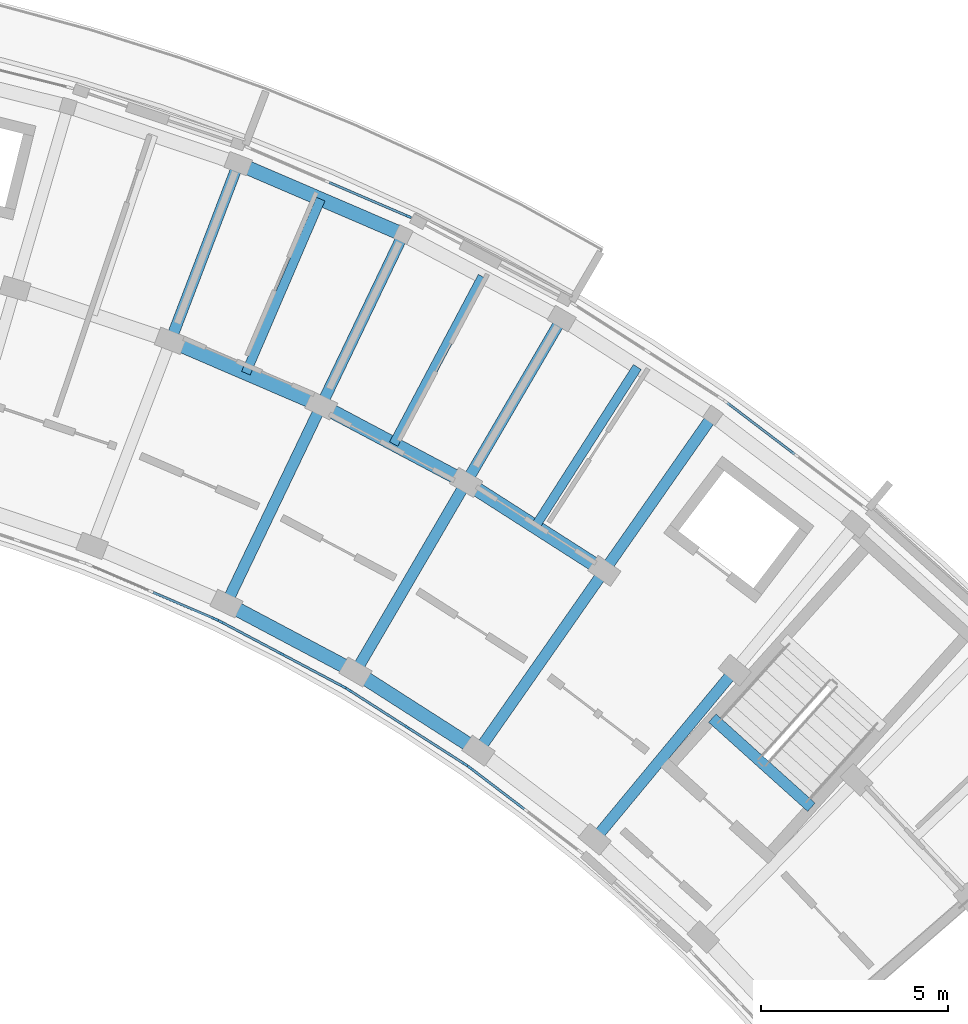
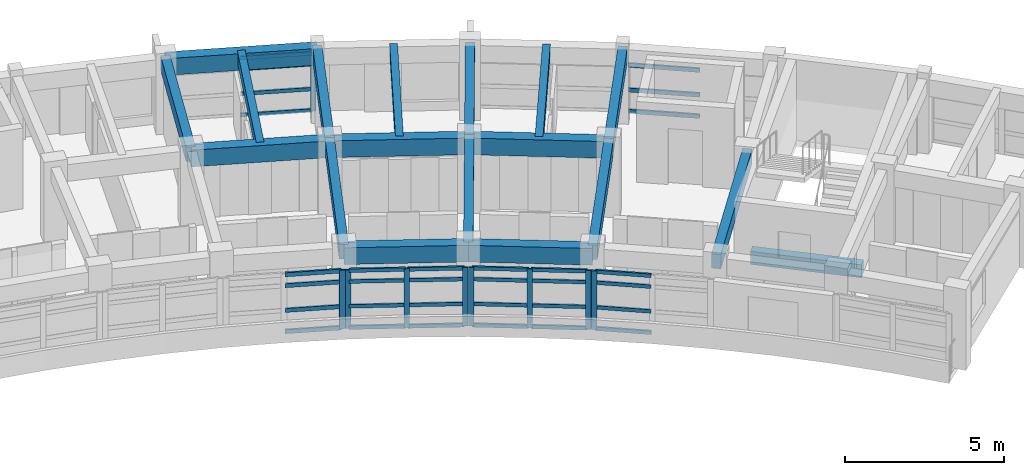
# One storey, part 17 of 40: 40 members, 18 beams, 6 elements without a shape of their own.
"""IFC4 building model written with IfcOpenShell, lengths in metres."""

from ifc_helpers import new_model, si_unit, direction, frame, origin, origin_2d, place, context, subcontext, project, spatial, rectangle, extrude, material, material_profile, profile_set, type_object, element, aggregate, save


model = new_model("IFC4")

# Units and contexts
model_context = context("Model", 3, precision=1e-05, world=origin(), true_north=direction((0.0, 1.0)))
body_context = subcontext(model_context, "Body", "Model", "MODEL_VIEW")
ifc_project = project(units=[si_unit("LENGTHUNIT", "METRE"), si_unit("AREAUNIT", "SQUARE_METRE"), si_unit("VOLUMEUNIT", "CUBIC_METRE"), si_unit("PLANEANGLEUNIT", "RADIAN"), si_unit("MASSUNIT", "GRAM", prefix="KILO")], contexts=[model_context])

# Site, building, storey
site_placement = place(None, origin())
site = spatial("IfcSite", under=ifc_project, at=site_placement, CompositionType="ELEMENT")
building_placement = place(site_placement, origin())
building = spatial("IfcBuilding", under=site, at=building_placement, Name="Zimvara Arc Housing Community", CompositionType="ELEMENT")
storey_placement = place(building_placement, frame((0.0, 0.0, 32.89990234375)))
storey = spatial("IfcBuildingStorey", under=building, at=storey_placement, Name="L10", CompositionType="ELEMENT", Elevation=32.89990234375)

# Beams
ifc_material_1 = material(Name="Concrete C40/50", Category="concrete")
ifc_material_profile_1 = material_profile(ifc_material_1, rectangle(XDim=0.25, YDim=0.449951171875, at=origin_2d()), Name="RC 250x450")
ifc_profile_set_1 = profile_set([ifc_material_profile_1], Name="Concrete C40/50")
beam_type_1 = type_object("IfcBeamType", Name="BM-RC-250x450", PredefinedType="JOIST", material=ifc_profile_set_1)
beam_1_placement = place(storey_placement, frame((66.22802734375, 93.885986328125, 2.635009765625), z_axis=(0.394929109608, 0.918711596958, 0.0), x_axis=(-0.918711596958, 0.394929109608, 0.0)))
element("IfcBeam", 1, at=beam_1_placement, inside=storey, type_object=beam_type_1, Name="bm:blkB:L10:joist:b4", PredefinedType="JOIST", context=body_context, shape_type="SweptSolid", body=[
    extrude(rectangle(XDim=0.25, YDim=0.449951171875, at=origin_2d()), origin(), (0.0, 0.0, 1.0), 5.075927734375),
])
for number, where, z_axis, x_axis, name in (
    (2, (70.186767578125, 91.9892578125, 2.635009765625), (0.46853732736, 0.883443701019, 0.0), (-0.883443701019, 0.46853732736, 0.0), "bm:blkB:L10:joist:b5"),
    (3, (73.9775390625, 89.776123046875, 2.635009765625), (0.539052331508, 0.842272274206, 0.0), (-0.842272274206, 0.539052331508, 0.0), "bm:blkB:L10:joist:b6"),
):
    element("IfcBeam", number, at=place(storey_placement, frame(where, z_axis=z_axis, x_axis=x_axis)), inside=storey, type_object=beam_type_1, Name=name, PredefinedType="JOIST", context=body_context, shape_type="SweptSolid", body=[
        extrude(rectangle(XDim=0.25, YDim=0.449951171875, at=origin_2d()), origin(), (0.0, 0.0, 1.0), 5.07568359375),
    ])
ifc_material_2 = material(Name="Concrete C40/50", Category="concrete")
ifc_material_profile_2 = material_profile(ifc_material_2, rectangle(XDim=0.300048828125, YDim=0.5, at=origin_2d()), Name="RC 300x500")
ifc_profile_set_2 = profile_set([ifc_material_profile_2], Name="Concrete C40/50")
beam_type_2 = type_object("IfcBeamType", Name="BM-RC-300x500", PredefinedType="BEAM", material=ifc_profile_set_2)
beam_2_placement = place(storey_placement, frame((81.375732421875, 82.259033203125, -0.25), z_axis=(-0.743362151162, 0.668889162881, 0.0), x_axis=(-0.668889162881, -0.743362151162, 0.0)))
element("IfcBeam", 4, at=beam_2_placement, inside=storey, type_object=beam_type_2, Name="bm:stair_trim:ST-B2:L10:near", PredefinedType="BEAM", context=body_context, shape_type="SweptSolid", body=[
    extrude(rectangle(XDim=0.300048828125, YDim=0.5, at=origin_2d()), origin(), (0.0, 0.0, 1.0), 3.570068359375),
])
ifc_material_3 = material(Name="Concrete C40/50", Category="concrete")
ifc_material_profile_3 = material_profile(ifc_material_3, rectangle(XDim=0.300048828125, YDim=0.550048828125, at=origin_2d()), Name="RC 300x550")
ifc_profile_set_3 = profile_set([ifc_material_profile_3], Name="Concrete C40/50")
beam_type_3 = type_object("IfcBeamType", Name="BM-RC-300x550", PredefinedType="BEAM", material=ifc_profile_set_3)
beam_3_placement = place(storey_placement, frame((64.2099609375, 94.75341796875, 2.585205078125), z_axis=(0.357078271386, 0.934074466038, 0.0), x_axis=(-0.934074466038, 0.357078271386, 0.0)))
element("IfcBeam", 5, at=beam_3_placement, inside=storey, type_object=beam_type_3, Name="bm:blkB:L10:rad:b4:r23", PredefinedType="BEAM", context=body_context, shape_type="SweptSolid", body=[
    extrude(rectangle(XDim=0.300048828125, YDim=0.550048828125, at=origin_2d()), origin(), (0.0, 0.0, 1.0), 5.080078125),
])
beam_4_placement = place(storey_placement, frame((65.70556640625, 87.7158203125, 2.585205078125), z_axis=(0.432069527705, 0.901840298073, 0.0), x_axis=(-0.901840298073, 0.432069527705, 0.0)))
element("IfcBeam", 6, at=beam_4_placement, inside=storey, type_object=beam_type_3, Name="bm:blkB:L10:rad:b5:r12", PredefinedType="BEAM", context=body_context, shape_type="SweptSolid", body=[
    extrude(rectangle(XDim=0.300048828125, YDim=0.550048828125, at=origin_2d()), origin(), (0.0, 0.0, 1.0), 5.8798828125),
])
beam_5_placement = place(storey_placement, frame((68.24609375, 93.0185546875, 2.585205078125), z_axis=(0.432098194978, 0.901826563091, 0.0), x_axis=(-0.901826563091, 0.432098194978, 0.0)))
element("IfcBeam", 7, at=beam_5_placement, inside=storey, type_object=beam_type_3, Name="bm:blkB:L10:rad:b5:r23", PredefinedType="BEAM", context=body_context, shape_type="SweptSolid", body=[
    extrude(rectangle(XDim=0.300048828125, YDim=0.550048828125, at=origin_2d()), origin(), (0.0, 0.0, 1.0), 5.080078125),
])
beam_6_placement = place(storey_placement, frame((69.16259765625, 85.88232421875, 2.585205078125), z_axis=(0.504219494781, 0.863575532934, 0.0), x_axis=(-0.863575532934, 0.504219494781, 0.0)))
element("IfcBeam", 8, at=beam_6_placement, inside=storey, type_object=beam_type_3, Name="bm:blkB:L10:rad:b6:r12", PredefinedType="BEAM", context=body_context, shape_type="SweptSolid", body=[
    extrude(rectangle(XDim=0.300048828125, YDim=0.550048828125, at=origin_2d()), origin(), (0.0, 0.0, 1.0), 5.880126953125),
])
beam_7_placement = place(storey_placement, frame((72.12744140625, 90.960205078125, 2.585205078125), z_axis=(0.504196701544, 0.863588840915, 0.0), x_axis=(-0.863588840915, 0.504196701544, 0.0)))
element("IfcBeam", 9, at=beam_7_placement, inside=storey, type_object=beam_type_3, Name="bm:blkB:L10:rad:b6:r23", PredefinedType="BEAM", context=body_context, shape_type="SweptSolid", body=[
    extrude(rectangle(XDim=0.300048828125, YDim=0.550048828125, at=origin_2d()), origin(), (0.0, 0.0, 1.0), 5.079833984375),
])
beam_8_placement = place(storey_placement, frame((72.458251953125, 83.77294921875, 2.585205078125), z_axis=(0.573027549978, 0.819536104736, 0.0), x_axis=(-0.819536104736, 0.573027549978, 0.0)))
element("IfcBeam", 10, at=beam_8_placement, inside=storey, type_object=beam_type_3, Name="bm:blkB:L10:rad:b7:r12", PredefinedType="BEAM", context=body_context, shape_type="SweptSolid", body=[
    extrude(rectangle(XDim=0.300048828125, YDim=0.550048828125, at=origin_2d()), origin(), (0.0, 0.0, 1.0), 5.8798828125),
])
beam_9_placement = place(storey_placement, frame((75.82763671875, 88.591796875, 2.585205078125), z_axis=(0.573007469479, 0.819550144848, 0.0), x_axis=(-0.819550144848, 0.573007469479, 0.0)))
element("IfcBeam", 11, at=beam_9_placement, inside=storey, type_object=beam_type_3, Name="bm:blkB:L10:rad:b7:r23", PredefinedType="BEAM", context=body_context, shape_type="SweptSolid", body=[
    extrude(rectangle(XDim=0.300048828125, YDim=0.550048828125, at=origin_2d()), origin(), (0.0, 0.0, 1.0), 5.080078125),
])
beam_10_placement = place(storey_placement, frame((75.571044921875, 81.401611328125, 2.585205078125), z_axis=(0.637955964415, 0.770072845559, 0.0), x_axis=(-0.770072845559, 0.637955964415, 0.0)))
element("IfcBeam", 12, at=beam_10_placement, inside=storey, type_object=beam_type_3, Name="bm:blkB:L10:rad:b8:r12", PredefinedType="BEAM", context=body_context, shape_type="SweptSolid", body=[
    extrude(rectangle(XDim=0.300048828125, YDim=0.550048828125, at=origin_2d()), origin(), (0.0, 0.0, 1.0), 5.880126953125),
])
ifc_material_4 = material(Name="Concrete C40/50", Category="concrete")
ifc_material_profile_4 = material_profile(ifc_material_4, rectangle(XDim=0.3798828125, YDim=0.639892578125, at=origin_2d()), Name="RC 380x640")
ifc_profile_set_4 = profile_set([ifc_material_profile_4], Name="Concrete C40/50")
beam_type_4 = type_object("IfcBeamType", Name="BM-RC-380x640", PredefinedType="BEAM", material=ifc_profile_set_4)
beam_11_placement = place(storey_placement, frame((65.70556640625, 87.7158203125, 2.5400390625), z_axis=(0.883438625159, -0.468546897948, 0.0), x_axis=(0.468546897948, 0.883438625159, 0.0)))
element("IfcBeam", 13, at=beam_11_placement, inside=storey, type_object=beam_type_4, Name="bm:blkB:L10:chord:r1:b5", PredefinedType="BEAM", context=body_context, shape_type="SweptSolid", body=[
    extrude(rectangle(XDim=0.3798828125, YDim=0.639892578125, at=origin_2d()), origin(), (0.0, 0.0, 1.0), 3.9130859375),
])
beam_12_placement = place(storey_placement, frame((69.16259765625, 85.88232421875, 2.5400390625), z_axis=(0.842253269878, -0.539082024724, 0.0), x_axis=(0.539082024724, 0.842253269878, 0.0)))
element("IfcBeam", 14, at=beam_12_placement, inside=storey, type_object=beam_type_4, Name="bm:blkB:L10:chord:r1:b6", PredefinedType="BEAM", context=body_context, shape_type="SweptSolid", body=[
    extrude(rectangle(XDim=0.3798828125, YDim=0.639892578125, at=origin_2d()), origin(), (0.0, 0.0, 1.0), 3.912841796875),
])
for number, where, z_axis, x_axis, name in (
    (15, (64.2099609375, 94.75341796875, 2.5400390625), (0.918724840088, -0.394898301093, 0.0), (0.394898301093, 0.918724840088, 0.0), "bm:blkB:L10:chord:r2:b4"),
    (16, (68.24609375, 93.0185546875, 2.5400390625), (0.883456526058, -0.468513144496, 0.0), (0.468513144496, 0.883456526058, 0.0), "bm:blkB:L10:chord:r2:b5"),
    (17, (72.12744140625, 90.960205078125, 2.5400390625), (0.842242131326, -0.539099427025, 0.0), (0.539099427025, 0.842242131326, 0.0), "bm:blkB:L10:chord:r2:b6"),
):
    element("IfcBeam", number, at=place(storey_placement, frame(where, z_axis=z_axis, x_axis=x_axis)), inside=storey, type_object=beam_type_4, Name=name, PredefinedType="BEAM", context=body_context, shape_type="SweptSolid", body=[
        extrude(rectangle(XDim=0.3798828125, YDim=0.639892578125, at=origin_2d()), origin(), (0.0, 0.0, 1.0), 4.393310546875),
    ])
beam_13_placement = place(storey_placement, frame((66.02392578125, 99.49853515625, 2.5400390625), z_axis=(0.918724276228, -0.394899612901, 0.0), x_axis=(0.394899612901, 0.918724276228, 0.0)))
element("IfcBeam", 18, at=beam_13_placement, inside=storey, type_object=beam_type_4, Name="bm:blkB:L10:chord:r3:b4", PredefinedType="BEAM", context=body_context, shape_type="SweptSolid", body=[
    extrude(rectangle(XDim=0.3798828125, YDim=0.639892578125, at=origin_2d()), origin(), (0.0, 0.0, 1.0), 4.80810546875),
])

# Curtain wall, member
ifc_material_5 = material(Name="Anodised Aluminium AW-6063", Category="aluminium")
curtain_wall_type_1 = type_object("IfcCurtainWallType", Name="CW-SYS-04", PredefinedType="USERDEFINED", material=ifc_material_5)
curtain_wall_1_placement = place(storey_placement, origin())
curtain_wall_1 = element("IfcCurtainWall", 19, at=curtain_wall_1_placement, inside=storey, type_object=curtain_wall_type_1, Name="cw:blkB:L10:out:b4", ObjectType="CURTAIN WALL", PredefinedType="USERDEFINED")
ifc_material_6 = material(Name="Anodised Aluminium AW-6063", Category="aluminium")
ifc_material_profile_5 = material_profile(ifc_material_6, rectangle(XDim=0.06494140625, YDim=0.179931640625, at=origin_2d()), Name="ALU 65x180")
ifc_profile_set_5 = profile_set([ifc_material_profile_5], Name="Anodised Aluminium AW-6063")
member_type_1 = type_object("IfcMemberType", Name="CWM-65x150", PredefinedType="MULLION", material=ifc_profile_set_5)
member_1_placement = place(storey_placement, frame((70.572265625, 98.08740234375, 0.0), z_axis=(0.0, 0.0, 1.0), x_axis=(0.394904211998, 0.918722299363, 0.0)))
member_1 = element("IfcMember", 20, at=member_1_placement, type_object=member_type_1, Name="CW04 mullion 3", PredefinedType="MULLION", context=body_context, shape_type="SweptSolid", body=[
    extrude(rectangle(XDim=0.06494140625, YDim=0.179931640625, at=origin_2d()), origin(), (0.0, 0.0, 1.0), 2.25),
])

# Curtain wall, members
ifc_material_7 = material(Name="Anodised Aluminium AW-6063", Category="aluminium")
curtain_wall_type_2 = type_object("IfcCurtainWallType", Name="CW-SYS-06", PredefinedType="USERDEFINED", material=ifc_material_7)
curtain_wall_2_placement = place(storey_placement, origin())
curtain_wall_2 = element("IfcCurtainWall", 21, at=curtain_wall_2_placement, inside=storey, type_object=curtain_wall_type_2, Name="cw:blkB:L10:in:b5", ObjectType="CURTAIN WALL", PredefinedType="USERDEFINED")
member_2_placement = place(storey_placement, frame((65.5712890625, 87.2216796875, 0.0), z_axis=(0.0, 0.0, 1.0), x_axis=(0.468547099195, 0.883438518424, 0.0)))
member_2 = element("IfcMember", 22, at=member_2_placement, type_object=member_type_1, Name="CW06 mullion 1", PredefinedType="MULLION", context=body_context, shape_type="SweptSolid", body=[
    extrude(rectangle(XDim=0.06494140625, YDim=0.179931640625, at=origin_2d()), origin(), (0.0, 0.0, 1.0), 2.25),
])
member_3_placement = place(storey_placement, frame((67.199951171875, 86.357666015625, 0.0), z_axis=(0.0, 0.0, 1.0), x_axis=(0.468547099195, 0.883438518424, 0.0)))
member_3 = element("IfcMember", 23, at=member_3_placement, type_object=member_type_1, Name="CW06 mullion 2", PredefinedType="MULLION", context=body_context, shape_type="SweptSolid", body=[
    extrude(rectangle(XDim=0.06494140625, YDim=0.179931640625, at=origin_2d()), origin(), (0.0, 0.0, 1.0), 2.25),
])
member_4_placement = place(storey_placement, frame((68.82861328125, 85.493896484375, 0.0), z_axis=(0.0, 0.0, 1.0), x_axis=(0.468547099195, 0.883438518424, 0.0)))
member_4 = element("IfcMember", 24, at=member_4_placement, type_object=member_type_1, Name="CW06 mullion 3", PredefinedType="MULLION", context=body_context, shape_type="SweptSolid", body=[
    extrude(rectangle(XDim=0.06494140625, YDim=0.179931640625, at=origin_2d()), origin(), (0.0, 0.0, 1.0), 2.25),
])

ifc_material_8 = material(Name="Anodised Aluminium AW-6063", Category="aluminium")
curtain_wall_type_3 = type_object("IfcCurtainWallType", Name="CW-SYS-08", PredefinedType="USERDEFINED", material=ifc_material_8)
curtain_wall_3_placement = place(storey_placement, origin())
curtain_wall_3 = element("IfcCurtainWall", 25, at=curtain_wall_3_placement, inside=storey, type_object=curtain_wall_type_3, Name="cw:blkB:L10:in:b6", ObjectType="CURTAIN WALL", PredefinedType="USERDEFINED")
member_5_placement = place(storey_placement, frame((68.98828125, 85.400634765625, 0.0), z_axis=(0.0, 0.0, 1.0), x_axis=(0.539065115913, 0.842264092079, 0.0)))
member_5 = element("IfcMember", 26, at=member_5_placement, type_object=member_type_1, Name="CW08 mullion 1", PredefinedType="MULLION", context=body_context, shape_type="SweptSolid", body=[
    extrude(rectangle(XDim=0.06494140625, YDim=0.179931640625, at=origin_2d()), origin(), (0.0, 0.0, 1.0), 2.25),
])
member_6_placement = place(storey_placement, frame((70.541015625, 84.406982421875, 0.0), z_axis=(0.0, 0.0, 1.0), x_axis=(0.539065115913, 0.842264092079, 0.0)))
member_6 = element("IfcMember", 27, at=member_6_placement, type_object=member_type_1, Name="CW08 mullion 2", PredefinedType="MULLION", context=body_context, shape_type="SweptSolid", body=[
    extrude(rectangle(XDim=0.06494140625, YDim=0.179931640625, at=origin_2d()), origin(), (0.0, 0.0, 1.0), 2.25),
])
member_7_placement = place(storey_placement, frame((72.093994140625, 83.4130859375, 0.0), z_axis=(0.0, 0.0, 1.0), x_axis=(0.539065115913, 0.842264092079, 0.0)))
member_7 = element("IfcMember", 28, at=member_7_placement, type_object=member_type_1, Name="CW08 mullion 3", PredefinedType="MULLION", context=body_context, shape_type="SweptSolid", body=[
    extrude(rectangle(XDim=0.06494140625, YDim=0.179931640625, at=origin_2d()), origin(), (0.0, 0.0, 1.0), 2.25),
])

# Curtain wall, member
ifc_material_9 = material(Name="Anodised Aluminium AW-6063", Category="aluminium")
curtain_wall_type_4 = type_object("IfcCurtainWallType", Name="CW-SYS-02", PredefinedType="USERDEFINED", material=ifc_material_9)
curtain_wall_4_placement = place(storey_placement, origin())
curtain_wall_4 = element("IfcCurtainWall", 29, at=curtain_wall_4_placement, inside=storey, type_object=curtain_wall_type_4, Name="cw:blkB:L10:in:b7", ObjectType="CURTAIN WALL", PredefinedType="USERDEFINED")
member_8_placement = place(storey_placement, frame((72.245361328125, 83.30712890625, 0.0), z_axis=(0.0, 0.0, 1.0), x_axis=(0.605987809503, 0.795473930895, 0.0)))
member_8 = element("IfcMember", 30, at=member_8_placement, type_object=member_type_1, Name="CW02 mullion 1", PredefinedType="MULLION", context=body_context, shape_type="SweptSolid", body=[
    extrude(rectangle(XDim=0.06494140625, YDim=0.179931640625, at=origin_2d()), origin(), (0.0, 0.0, 1.0), 2.25),
])

ifc_material_10 = material(Name="Anodised Aluminium AW-6063", Category="aluminium")
curtain_wall_type_5 = type_object("IfcCurtainWallType", Name="CW-SYS-05", PredefinedType="USERDEFINED", material=ifc_material_10)
curtain_wall_5_placement = place(storey_placement, origin())
curtain_wall_5 = element("IfcCurtainWall", 31, at=curtain_wall_5_placement, inside=storey, type_object=curtain_wall_type_5, Name="cw:blkB:L10:in:b4", ObjectType="CURTAIN WALL", PredefinedType="USERDEFINED")
ifc_material_11 = material(Name="Anodised Aluminium AW-6063", Category="aluminium")
ifc_material_profile_6 = material_profile(ifc_material_11, rectangle(XDim=0.06494140625, YDim=0.195068359375, at=origin_2d()), Name="ALU 65x195")
ifc_profile_set_6 = profile_set([ifc_material_profile_6], Name="Anodised Aluminium AW-6063")
member_type_2 = type_object("IfcMemberType", Name="CWM-65x180", PredefinedType="MULLION", material=ifc_profile_set_6)
member_9_placement = place(storey_placement, frame((65.404541015625, 87.301513671875, 0.0), z_axis=(0.0, 0.0, 1.0), x_axis=(0.394903951674, 0.918722411261, 0.0)))
member_9 = element("IfcMember", 32, at=member_9_placement, type_object=member_type_2, Name="CW05 mullion 3", PredefinedType="MULLION", context=body_context, shape_type="SweptSolid", body=[
    extrude(rectangle(XDim=0.06494140625, YDim=0.195068359375, at=origin_2d()), origin(), (0.0, 0.0, 1.0), 2.25),
])

# Member
ifc_material_12 = material(Name="Anodised Aluminium AW-6063", Category="aluminium")
ifc_material_profile_7 = material_profile(ifc_material_12, rectangle(XDim=0.06494140625, YDim=0.139892578125, at=origin_2d()), Name="ALU 65x140")
ifc_profile_set_7 = profile_set([ifc_material_profile_7], Name="Anodised Aluminium AW-6063")
member_type_3 = type_object("IfcMemberType", Name="CWT-65x120", PredefinedType="USERDEFINED", material=ifc_profile_set_7)
member_10_placement = place(storey_placement, frame((68.459716796875, 98.995361328125, 0.03271484375), z_axis=(0.918721157939, -0.394906867444, 0.0), x_axis=(0.394906867444, 0.918721157939, 0.0)))
member_10 = element("IfcMember", 33, at=member_10_placement, type_object=member_type_3, Name="CW04 transom 2.1", ObjectType="TRANSOM", PredefinedType="USERDEFINED", context=body_context, shape_type="SweptSolid", body=[
    extrude(rectangle(XDim=0.06494140625, YDim=0.139892578125, at=origin_2d()), origin(), (0.0, 0.0, 1.0), 2.26708984375),
])

member_11_placement = place(storey_placement, frame((68.459716796875, 98.995361328125, 0.85009765625), z_axis=(0.918721157939, -0.394906867444, 0.0), x_axis=(0.394906867444, 0.918721157939, 0.0)))
member_11 = element("IfcMember", 34, at=member_11_placement, type_object=member_type_3, Name="CW04 transom 2.2", ObjectType="TRANSOM", PredefinedType="USERDEFINED", context=body_context, shape_type="SweptSolid", body=[
    extrude(rectangle(XDim=0.06494140625, YDim=0.139892578125, at=origin_2d()), origin(), (0.0, 0.0, 1.0), 2.26708984375),
])

member_12_placement = place(storey_placement, frame((68.459716796875, 98.995361328125, 1.800048828125), z_axis=(0.918721157939, -0.394906867444, 0.0), x_axis=(0.394906867444, 0.918721157939, 0.0)))
member_12 = element("IfcMember", 35, at=member_12_placement, type_object=member_type_3, Name="CW04 transom 2.3", ObjectType="TRANSOM", PredefinedType="USERDEFINED", context=body_context, shape_type="SweptSolid", body=[
    extrude(rectangle(XDim=0.06494140625, YDim=0.139892578125, at=origin_2d()), origin(), (0.0, 0.0, 1.0), 2.26708984375),
])

member_13_placement = place(storey_placement, frame((68.459716796875, 98.995361328125, 2.217529296875), z_axis=(0.918721157939, -0.394906867444, 0.0), x_axis=(0.394906867444, 0.918721157939, 0.0)))
member_13 = element("IfcMember", 36, at=member_13_placement, type_object=member_type_3, Name="CW04 transom 2.4", ObjectType="TRANSOM", PredefinedType="USERDEFINED", context=body_context, shape_type="SweptSolid", body=[
    extrude(rectangle(XDim=0.06494140625, YDim=0.139892578125, at=origin_2d()), origin(), (0.0, 0.0, 1.0), 2.26708984375),
])

aggregate(curtain_wall_1, [member_1, member_10, member_11, member_12, member_13])

member_14_placement = place(storey_placement, frame((65.599853515625, 87.206298828125, 0.03271484375), z_axis=(0.883463823767, -0.468499383238, 0.0), x_axis=(0.468499383238, 0.883463823767, 0.0)))
member_14 = element("IfcMember", 37, at=member_14_placement, type_object=member_type_3, Name="CW06 transom 1.1", ObjectType="TRANSOM", PredefinedType="USERDEFINED", context=body_context, shape_type="SweptSolid", body=[
    extrude(rectangle(XDim=0.06494140625, YDim=0.139892578125, at=origin_2d()), origin(), (0.0, 0.0, 1.0), 1.778564453125),
])

member_15_placement = place(storey_placement, frame((65.599853515625, 87.206298828125, 0.85009765625), z_axis=(0.883463823767, -0.468499383238, 0.0), x_axis=(0.468499383238, 0.883463823767, 0.0)))
member_15 = element("IfcMember", 38, at=member_15_placement, type_object=member_type_3, Name="CW06 transom 1.2", ObjectType="TRANSOM", PredefinedType="USERDEFINED", context=body_context, shape_type="SweptSolid", body=[
    extrude(rectangle(XDim=0.06494140625, YDim=0.139892578125, at=origin_2d()), origin(), (0.0, 0.0, 1.0), 1.778564453125),
])

member_16_placement = place(storey_placement, frame((65.599853515625, 87.206298828125, 1.800048828125), z_axis=(0.883463823767, -0.468499383238, 0.0), x_axis=(0.468499383238, 0.883463823767, 0.0)))
member_16 = element("IfcMember", 39, at=member_16_placement, type_object=member_type_3, Name="CW06 transom 1.3", ObjectType="TRANSOM", PredefinedType="USERDEFINED", context=body_context, shape_type="SweptSolid", body=[
    extrude(rectangle(XDim=0.06494140625, YDim=0.139892578125, at=origin_2d()), origin(), (0.0, 0.0, 1.0), 1.778564453125),
])

member_17_placement = place(storey_placement, frame((65.599853515625, 87.206298828125, 2.217529296875), z_axis=(0.883463823767, -0.468499383238, 0.0), x_axis=(0.468499383238, 0.883463823767, 0.0)))
member_17 = element("IfcMember", 40, at=member_17_placement, type_object=member_type_3, Name="CW06 transom 1.4", ObjectType="TRANSOM", PredefinedType="USERDEFINED", context=body_context, shape_type="SweptSolid", body=[
    extrude(rectangle(XDim=0.06494140625, YDim=0.139892578125, at=origin_2d()), origin(), (0.0, 0.0, 1.0), 1.778564453125),
])

member_18_placement = place(storey_placement, frame((67.228759765625, 86.342529296875, 0.03271484375), z_axis=(0.883407004942, -0.468606512566, 0.0), x_axis=(0.468606512566, 0.883407004942, 0.0)))
member_18 = element("IfcMember", 41, at=member_18_placement, type_object=member_type_3, Name="CW06 transom 2.1", ObjectType="TRANSOM", PredefinedType="USERDEFINED", context=body_context, shape_type="SweptSolid", body=[
    extrude(rectangle(XDim=0.06494140625, YDim=0.139892578125, at=origin_2d()), origin(), (0.0, 0.0, 1.0), 1.778564453125),
])

member_19_placement = place(storey_placement, frame((67.228759765625, 86.342529296875, 0.85009765625), z_axis=(0.883407004942, -0.468606512566, 0.0), x_axis=(0.468606512566, 0.883407004942, 0.0)))
member_19 = element("IfcMember", 42, at=member_19_placement, type_object=member_type_3, Name="CW06 transom 2.2", ObjectType="TRANSOM", PredefinedType="USERDEFINED", context=body_context, shape_type="SweptSolid", body=[
    extrude(rectangle(XDim=0.06494140625, YDim=0.139892578125, at=origin_2d()), origin(), (0.0, 0.0, 1.0), 1.778564453125),
])

member_20_placement = place(storey_placement, frame((67.228759765625, 86.342529296875, 1.800048828125), z_axis=(0.883407004942, -0.468606512566, 0.0), x_axis=(0.468606512566, 0.883407004942, 0.0)))
member_20 = element("IfcMember", 43, at=member_20_placement, type_object=member_type_3, Name="CW06 transom 2.3", ObjectType="TRANSOM", PredefinedType="USERDEFINED", context=body_context, shape_type="SweptSolid", body=[
    extrude(rectangle(XDim=0.06494140625, YDim=0.139892578125, at=origin_2d()), origin(), (0.0, 0.0, 1.0), 1.778564453125),
])

member_21_placement = place(storey_placement, frame((67.228759765625, 86.342529296875, 2.217529296875), z_axis=(0.883407004942, -0.468606512566, 0.0), x_axis=(0.468606512566, 0.883407004942, 0.0)))
member_21 = element("IfcMember", 44, at=member_21_placement, type_object=member_type_3, Name="CW06 transom 2.4", ObjectType="TRANSOM", PredefinedType="USERDEFINED", context=body_context, shape_type="SweptSolid", body=[
    extrude(rectangle(XDim=0.06494140625, YDim=0.139892578125, at=origin_2d()), origin(), (0.0, 0.0, 1.0), 1.778564453125),
])

aggregate(curtain_wall_2, [member_2, member_3, member_4, member_14, member_15, member_16, member_17, member_18, member_19, member_20, member_21])

member_22_placement = place(storey_placement, frame((69.015625, 85.38330078125, 0.03271484375), z_axis=(0.842211569309, -0.539147171487, 0.0), x_axis=(0.539147171487, 0.842211569309, 0.0)))
member_22 = element("IfcMember", 45, at=member_22_placement, type_object=member_type_3, Name="CW08 transom 1.1", ObjectType="TRANSOM", PredefinedType="USERDEFINED", context=body_context, shape_type="SweptSolid", body=[
    extrude(rectangle(XDim=0.06494140625, YDim=0.139892578125, at=origin_2d()), origin(), (0.0, 0.0, 1.0), 1.77880859375),
])

member_23_placement = place(storey_placement, frame((69.015625, 85.38330078125, 0.85009765625), z_axis=(0.842211569309, -0.539147171487, 0.0), x_axis=(0.539147171487, 0.842211569309, 0.0)))
member_23 = element("IfcMember", 46, at=member_23_placement, type_object=member_type_3, Name="CW08 transom 1.2", ObjectType="TRANSOM", PredefinedType="USERDEFINED", context=body_context, shape_type="SweptSolid", body=[
    extrude(rectangle(XDim=0.06494140625, YDim=0.139892578125, at=origin_2d()), origin(), (0.0, 0.0, 1.0), 1.77880859375),
])

member_24_placement = place(storey_placement, frame((69.015625, 85.38330078125, 1.800048828125), z_axis=(0.842211569309, -0.539147171487, 0.0), x_axis=(0.539147171487, 0.842211569309, 0.0)))
member_24 = element("IfcMember", 47, at=member_24_placement, type_object=member_type_3, Name="CW08 transom 1.3", ObjectType="TRANSOM", PredefinedType="USERDEFINED", context=body_context, shape_type="SweptSolid", body=[
    extrude(rectangle(XDim=0.06494140625, YDim=0.139892578125, at=origin_2d()), origin(), (0.0, 0.0, 1.0), 1.77880859375),
])

member_25_placement = place(storey_placement, frame((69.015625, 85.38330078125, 2.217529296875), z_axis=(0.842211569309, -0.539147171487, 0.0), x_axis=(0.539147171487, 0.842211569309, 0.0)))
member_25 = element("IfcMember", 48, at=member_25_placement, type_object=member_type_3, Name="CW08 transom 1.4", ObjectType="TRANSOM", PredefinedType="USERDEFINED", context=body_context, shape_type="SweptSolid", body=[
    extrude(rectangle(XDim=0.06494140625, YDim=0.139892578125, at=origin_2d()), origin(), (0.0, 0.0, 1.0), 1.77880859375),
])

member_26_placement = place(storey_placement, frame((70.568603515625, 84.389404296875, 0.03271484375), z_axis=(0.842273893594, -0.539049801197, 0.0), x_axis=(0.539049801197, 0.842273893594, 0.0)))
member_26 = element("IfcMember", 49, at=member_26_placement, type_object=member_type_3, Name="CW08 transom 2.1", ObjectType="TRANSOM", PredefinedType="USERDEFINED", context=body_context, shape_type="SweptSolid", body=[
    extrude(rectangle(XDim=0.06494140625, YDim=0.139892578125, at=origin_2d()), origin(), (0.0, 0.0, 1.0), 1.778564453125),
])

member_27_placement = place(storey_placement, frame((70.568603515625, 84.389404296875, 0.85009765625), z_axis=(0.842273893594, -0.539049801197, 0.0), x_axis=(0.539049801197, 0.842273893594, 0.0)))
member_27 = element("IfcMember", 50, at=member_27_placement, type_object=member_type_3, Name="CW08 transom 2.2", ObjectType="TRANSOM", PredefinedType="USERDEFINED", context=body_context, shape_type="SweptSolid", body=[
    extrude(rectangle(XDim=0.06494140625, YDim=0.139892578125, at=origin_2d()), origin(), (0.0, 0.0, 1.0), 1.778564453125),
])

member_28_placement = place(storey_placement, frame((70.568603515625, 84.389404296875, 1.800048828125), z_axis=(0.842273893594, -0.539049801197, 0.0), x_axis=(0.539049801197, 0.842273893594, 0.0)))
member_28 = element("IfcMember", 51, at=member_28_placement, type_object=member_type_3, Name="CW08 transom 2.3", ObjectType="TRANSOM", PredefinedType="USERDEFINED", context=body_context, shape_type="SweptSolid", body=[
    extrude(rectangle(XDim=0.06494140625, YDim=0.139892578125, at=origin_2d()), origin(), (0.0, 0.0, 1.0), 1.778564453125),
])

member_29_placement = place(storey_placement, frame((70.568603515625, 84.389404296875, 2.217529296875), z_axis=(0.842273893594, -0.539049801197, 0.0), x_axis=(0.539049801197, 0.842273893594, 0.0)))
member_29 = element("IfcMember", 52, at=member_29_placement, type_object=member_type_3, Name="CW08 transom 2.4", ObjectType="TRANSOM", PredefinedType="USERDEFINED", context=body_context, shape_type="SweptSolid", body=[
    extrude(rectangle(XDim=0.06494140625, YDim=0.139892578125, at=origin_2d()), origin(), (0.0, 0.0, 1.0), 1.778564453125),
])

aggregate(curtain_wall_3, [member_5, member_6, member_7, member_22, member_23, member_24, member_25, member_26, member_27, member_28, member_29])

member_30_placement = place(storey_placement, frame((72.271240234375, 83.287353515625, 0.03271484375), z_axis=(0.79544747465, -0.60602253677, 0.0), x_axis=(0.60602253677, 0.79544747465, 0.0)))
member_30 = element("IfcMember", 53, at=member_30_placement, type_object=member_type_3, Name="CW02 transom 1.1", ObjectType="TRANSOM", PredefinedType="USERDEFINED", context=body_context, shape_type="SweptSolid", body=[
    extrude(rectangle(XDim=0.06494140625, YDim=0.139892578125, at=origin_2d()), origin(), (0.0, 0.0, 1.0), 1.778564453125),
])

member_31_placement = place(storey_placement, frame((72.271240234375, 83.287353515625, 0.85009765625), z_axis=(0.79544747465, -0.60602253677, 0.0), x_axis=(0.60602253677, 0.79544747465, 0.0)))
member_31 = element("IfcMember", 54, at=member_31_placement, type_object=member_type_3, Name="CW02 transom 1.2", ObjectType="TRANSOM", PredefinedType="USERDEFINED", context=body_context, shape_type="SweptSolid", body=[
    extrude(rectangle(XDim=0.06494140625, YDim=0.139892578125, at=origin_2d()), origin(), (0.0, 0.0, 1.0), 1.778564453125),
])

member_32_placement = place(storey_placement, frame((72.271240234375, 83.287353515625, 1.800048828125), z_axis=(0.79544747465, -0.60602253677, 0.0), x_axis=(0.60602253677, 0.79544747465, 0.0)))
member_32 = element("IfcMember", 55, at=member_32_placement, type_object=member_type_3, Name="CW02 transom 1.3", ObjectType="TRANSOM", PredefinedType="USERDEFINED", context=body_context, shape_type="SweptSolid", body=[
    extrude(rectangle(XDim=0.06494140625, YDim=0.139892578125, at=origin_2d()), origin(), (0.0, 0.0, 1.0), 1.778564453125),
])

member_33_placement = place(storey_placement, frame((72.271240234375, 83.287353515625, 2.217529296875), z_axis=(0.79544747465, -0.60602253677, 0.0), x_axis=(0.60602253677, 0.79544747465, 0.0)))
member_33 = element("IfcMember", 56, at=member_33_placement, type_object=member_type_3, Name="CW02 transom 1.4", ObjectType="TRANSOM", PredefinedType="USERDEFINED", context=body_context, shape_type="SweptSolid", body=[
    extrude(rectangle(XDim=0.06494140625, YDim=0.139892578125, at=origin_2d()), origin(), (0.0, 0.0, 1.0), 1.778564453125),
])

aggregate(curtain_wall_4, [member_8, member_30, member_31, member_32, member_33])

ifc_material_13 = material(Name="Anodised Aluminium AW-6063", Category="aluminium")
ifc_material_profile_8 = material_profile(ifc_material_13, rectangle(XDim=0.06494140625, YDim=0.155029296875, at=origin_2d()), Name="ALU 65x155")
ifc_profile_set_8 = profile_set([ifc_material_profile_8], Name="Anodised Aluminium AW-6063")
member_type_4 = type_object("IfcMemberType", Name="CWT-65x140", PredefinedType="USERDEFINED", material=ifc_profile_set_8)
member_34_placement = place(storey_placement, frame((63.740478515625, 88.0166015625, 0.03271484375), z_axis=(0.918739899324, -0.39486326417, 0.0), x_axis=(0.39486326417, 0.918739899324, 0.0)))
member_34 = element("IfcMember", 57, at=member_34_placement, type_object=member_type_4, Name="CW05 transom 2.1", ObjectType="TRANSOM", PredefinedType="USERDEFINED", context=body_context, shape_type="SweptSolid", body=[
    extrude(rectangle(XDim=0.06494140625, YDim=0.155029296875, at=origin_2d()), origin(), (0.0, 0.0, 1.0), 1.77880859375),
])

member_35_placement = place(storey_placement, frame((63.740478515625, 88.0166015625, 0.85009765625), z_axis=(0.918739899324, -0.39486326417, 0.0), x_axis=(0.39486326417, 0.918739899324, 0.0)))
member_35 = element("IfcMember", 58, at=member_35_placement, type_object=member_type_4, Name="CW05 transom 2.2", ObjectType="TRANSOM", PredefinedType="USERDEFINED", context=body_context, shape_type="SweptSolid", body=[
    extrude(rectangle(XDim=0.06494140625, YDim=0.155029296875, at=origin_2d()), origin(), (0.0, 0.0, 1.0), 1.77880859375),
])

member_36_placement = place(storey_placement, frame((63.740478515625, 88.0166015625, 1.800048828125), z_axis=(0.918739899324, -0.39486326417, 0.0), x_axis=(0.39486326417, 0.918739899324, 0.0)))
member_36 = element("IfcMember", 59, at=member_36_placement, type_object=member_type_4, Name="CW05 transom 2.3", ObjectType="TRANSOM", PredefinedType="USERDEFINED", context=body_context, shape_type="SweptSolid", body=[
    extrude(rectangle(XDim=0.06494140625, YDim=0.155029296875, at=origin_2d()), origin(), (0.0, 0.0, 1.0), 1.77880859375),
])

member_37_placement = place(storey_placement, frame((63.740478515625, 88.0166015625, 2.217529296875), z_axis=(0.918739899324, -0.39486326417, 0.0), x_axis=(0.39486326417, 0.918739899324, 0.0)))
member_37 = element("IfcMember", 60, at=member_37_placement, type_object=member_type_4, Name="CW05 transom 2.4", ObjectType="TRANSOM", PredefinedType="USERDEFINED", context=body_context, shape_type="SweptSolid", body=[
    extrude(rectangle(XDim=0.06494140625, YDim=0.155029296875, at=origin_2d()), origin(), (0.0, 0.0, 1.0), 1.77880859375),
])

aggregate(curtain_wall_5, [member_9, member_34, member_35, member_36, member_37])

# Curtain wall, members
ifc_material_14 = material(Name="Anodised Aluminium AW-6063", Category="aluminium")
curtain_wall_type_6 = type_object("IfcCurtainWallType", Name="CW-SYS-01", PredefinedType="USERDEFINED", material=ifc_material_14)
curtain_wall_6_placement = place(storey_placement, origin())
curtain_wall_6 = element("IfcCurtainWall", 61, at=curtain_wall_6_placement, inside=storey, type_object=curtain_wall_type_6, Name="cw:blkB:L10:out:b7", ObjectType="CURTAIN WALL", PredefinedType="USERDEFINED")
member_38_placement = place(storey_placement, frame((79.12451171875, 93.08935546875, 0.03271484375), z_axis=(0.795453969776, -0.606014011363, 0.0), x_axis=(0.606014011363, 0.795453969776, 0.0)))
member_38 = element("IfcMember", 62, at=member_38_placement, type_object=member_type_4, Name="CW01 transom 1.1", ObjectType="TRANSOM", PredefinedType="USERDEFINED", context=body_context, shape_type="SweptSolid", body=[
    extrude(rectangle(XDim=0.06494140625, YDim=0.155029296875, at=origin_2d()), origin(), (0.0, 0.0, 1.0), 2.266845703125),
])
member_39_placement = place(storey_placement, frame((79.12451171875, 93.08935546875, 0.85009765625), z_axis=(0.795453969776, -0.606014011363, 0.0), x_axis=(0.606014011363, 0.795453969776, 0.0)))
member_39 = element("IfcMember", 63, at=member_39_placement, type_object=member_type_4, Name="CW01 transom 1.2", ObjectType="TRANSOM", PredefinedType="USERDEFINED", context=body_context, shape_type="SweptSolid", body=[
    extrude(rectangle(XDim=0.06494140625, YDim=0.155029296875, at=origin_2d()), origin(), (0.0, 0.0, 1.0), 2.266845703125),
])
member_40_placement = place(storey_placement, frame((79.12451171875, 93.08935546875, 1.800048828125), z_axis=(0.795453969776, -0.606014011363, 0.0), x_axis=(0.606014011363, 0.795453969776, 0.0)))
member_40 = element("IfcMember", 64, at=member_40_placement, type_object=member_type_4, Name="CW01 transom 1.3", ObjectType="TRANSOM", PredefinedType="USERDEFINED", context=body_context, shape_type="SweptSolid", body=[
    extrude(rectangle(XDim=0.06494140625, YDim=0.155029296875, at=origin_2d()), origin(), (0.0, 0.0, 1.0), 2.266845703125),
])
aggregate(curtain_wall_6, [member_38, member_39, member_40])

save(model, "model.ifc")
